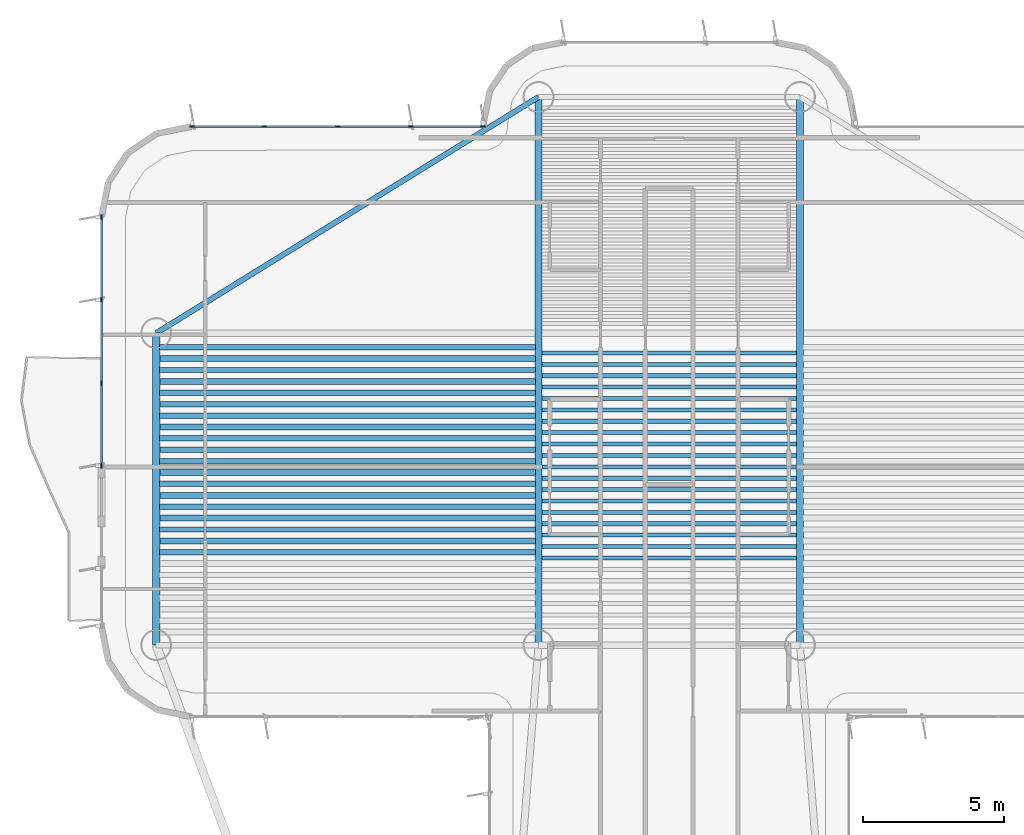
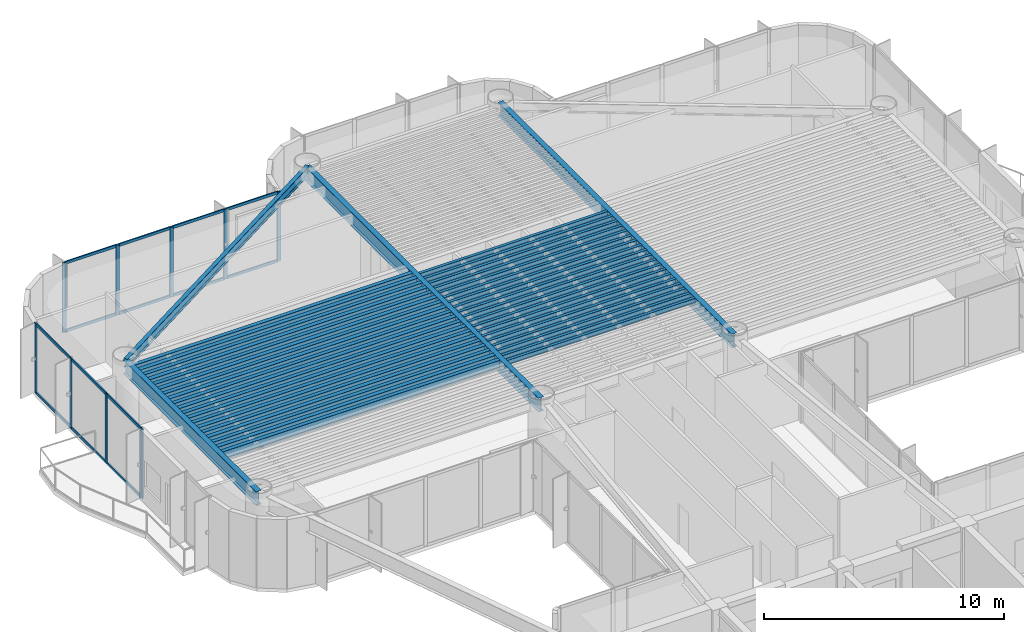
# One storey, part 5 of 15: 42 beams, 23 members, 2 elements without a shape of their own.
"""IFC4 building model written with IfcOpenShell, lengths in metres."""

from ifc_helpers import new_model, si_unit, direction, frame, origin, origin_2d, place, context, subcontext, project, spatial, rectangle, i_section, extrude, source, transform, mapped, material, layer, layer_set, material_profile, profile_set, type_object, element, aggregate, save


model = new_model("IFC4")

# Units and contexts
model_context = context("Model", 3, precision=1e-05, world=origin(), true_north=direction((0.0, 1.0)))
body_context = subcontext(model_context, "Body", "Model", "MODEL_VIEW")
ifc_project = project(units=[si_unit("LENGTHUNIT", "METRE"), si_unit("AREAUNIT", "SQUARE_METRE"), si_unit("VOLUMEUNIT", "CUBIC_METRE"), si_unit("PLANEANGLEUNIT", "RADIAN"), si_unit("MASSUNIT", "GRAM", prefix="KILO")], contexts=[model_context])

# Site, building, storey
site_placement = place(None, origin())
site = spatial("IfcSite", under=ifc_project, at=site_placement, CompositionType="ELEMENT")
building_placement = place(site_placement, origin())
building = spatial("IfcBuilding", under=site, at=building_placement, Name="Brelvock Crest Care Tower", CompositionType="ELEMENT")
storey_placement = place(building_placement, frame((0.0, 0.0, 163.97998046875)))
storey = spatial("IfcBuildingStorey", under=building, at=storey_placement, Name="L41", CompositionType="ELEMENT", Elevation=163.97998046875)

# Beams
ifc_material_1 = material(Name="Steel Grade 350", Category="steel")
ifc_material_profile_1 = material_profile(ifc_material_1, i_section(OverallWidth=0.14599609375, OverallDepth=0.256103515625, WebThickness=0.00634765625, FlangeThickness=0.010986328125, FilletRadius=0.0087890625, at=origin_2d()), Name="250UB37.3")
ifc_profile_set_1 = profile_set([ifc_material_profile_1], Name="Steel Grade 350")
beam_type_1 = type_object("IfcBeamType", Name="BM-J3", PredefinedType="JOIST", material=ifc_profile_set_1)
shared_shape_1 = source(origin(), body_context, "Body", "SweptSolid", [
    extrude(i_section(OverallWidth=0.14599609375, OverallDepth=0.256103515625, WebThickness=0.00634765625, FlangeThickness=0.010986328125, FilletRadius=0.0087890625, at=origin_2d()), origin(), (0.0, 0.0, 1.0), 9.06982421875),
])
for number, where, z_axis, x_axis, name in (
    (1, (31.465087890625, 38.0498046875, 3.402099609375), (1.0, 0.0, 0.0), (0.0, 1.0, 0.0), "BM-JH-L41-7"),
    (2, (31.465087890625, 38.454833984375, 3.402099609375), (1.0, 0.0, 0.0), (0.0, 1.0, 0.0), "BM-JH-L41-8"),
    (3, (31.465087890625, 38.860107421875, 3.402099609375), (1.0, 0.0, 0.0), (0.0, 1.0, 0.0), "BM-JH-L41-9"),
    (4, (31.465087890625, 39.26513671875, 3.402099609375), (1.0, 0.0, 0.0), (0.0, 1.0, 0.0), "BM-JH-L41-10"),
    (5, (31.465087890625, 39.67041015625, 3.402099609375), (1.0, 0.0, 0.0), (0.0, 1.0, 0.0), "BM-JH-L41-11"),
    (6, (31.465087890625, 40.075439453125, 3.402099609375), (1.0, 0.0, 0.0), (0.0, 1.0, 0.0), "BM-JH-L41-12"),
    (7, (31.465087890625, 40.480712890625, 3.402099609375), (1.0, 0.0, 0.0), (0.0, 1.0, 0.0), "BM-JH-L41-13"),
    (8, (31.465087890625, 40.8857421875, 3.402099609375), (1.0, 0.0, 0.0), (0.0, 1.0, 0.0), "BM-JH-L41-14"),
    (9, (31.465087890625, 41.291015625, 3.402099609375), (1.0, 0.0, 0.0), (0.0, 1.0, 0.0), "BM-JH-L41-15"),
    (10, (31.465087890625, 41.696044921875, 3.402099609375), (1.0, 0.0, 0.0), (0.0, 1.0, 0.0), "BM-JH-L41-16"),
    (11, (31.465087890625, 42.101318359375, 3.402099609375), (1.0, 0.0, 0.0), (0.0, 1.0, 0.0), "BM-JH-L41-17"),
    (12, (31.465087890625, 42.50634765625, 3.402099609375), (1.0, 0.0, 0.0), (0.0, 1.0, 0.0), "BM-JH-L41-18"),
    (13, (31.465087890625, 42.91162109375, 3.402099609375), (1.0, 0.0, 0.0), (0.0, 1.0, 0.0), "BM-JH-L41-19"),
    (14, (31.465087890625, 43.316650390625, 3.402099609375), (1.0, 0.0, 0.0), (0.0, 1.0, 0.0), "BM-JH-L41-20"),
    (15, (31.465087890625, 43.7216796875, 3.402099609375), (1.0, 0.0, 0.0), (0.0, 1.0, 0.0), "BM-JH-L41-21"),
    (16, (31.465087890625, 44.126953125, 3.402099609375), (1.0, 0.0, 0.0), (0.0, 1.0, 0.0), "BM-JH-L41-22"),
    (17, (31.465087890625, 44.531982421875, 3.402099609375), (1.0, 0.0, 0.0), (0.0, 1.0, 0.0), "BM-JH-L41-23"),
    (18, (31.465087890625, 44.937255859375, 3.402099609375), (1.0, 0.0, 0.0), (0.0, 1.0, 0.0), "BM-JH-L41-24"),
    (19, (31.465087890625, 45.34228515625, 3.402099609375), (1.0, 0.0, 0.0), (0.0, 1.0, 0.0), "BM-JH-L41-25"),
):
    element("IfcBeam", number, at=place(storey_placement, frame(where, z_axis=z_axis, x_axis=x_axis)), inside=storey, type_object=beam_type_1, Name=name, PredefinedType="JOIST", context=body_context, shape_type="MappedRepresentation", body=[
        mapped(shared_shape_1, transform((0.0, 0.0, 0.0), x_axis=(1.0, 0.0, 0.0), y_axis=(0.0, 1.0, 0.0), z_axis=(0.0, 0.0, 1.0), scale=1.0)),
    ])
ifc_material_profile_2 = material_profile(ifc_material_1, i_section(OverallWidth=0.208984375, OverallDepth=0.532958984375, WebThickness=0.01025390625, FlangeThickness=0.015625, FilletRadius=0.013916015625, at=origin_2d()), Name="530UB92.4")
ifc_profile_set_2 = profile_set([ifc_material_profile_2], Name="Steel Grade 350")
beam_type_2 = type_object("IfcBeamType", Name="BM-G2", PredefinedType="BEAM", material=ifc_profile_set_2)
shared_shape_2 = source(origin(), body_context, "Body", "SweptSolid", [
    extrude(i_section(OverallWidth=0.208984375, OverallDepth=0.532958984375, WebThickness=0.01025390625, FlangeThickness=0.015625, FilletRadius=0.013916015625, at=origin_2d()), origin(), (0.0, 0.0, 1.0), 13.3701171875),
])
for number, where, z_axis, x_axis, name in (
    (20, (17.864990234375, 38.657470703125, 3.263427734375), (1.0, 0.0, 0.0), (0.0, 1.0, 0.0), "BM-JW-L41-9"),
    (21, (17.864990234375, 39.4677734375, 3.263427734375), (1.0, 0.0, 0.0), (0.0, 1.0, 0.0), "BM-JW-L41-11"),
    (22, (17.864990234375, 40.278076171875, 3.263427734375), (1.0, 0.0, 0.0), (0.0, 1.0, 0.0), "BM-JW-L41-13"),
    (23, (17.864990234375, 41.08837890625, 3.263427734375), (1.0, 0.0, 0.0), (0.0, 1.0, 0.0), "BM-JW-L41-15"),
    (24, (17.864990234375, 41.898681640625, 3.263427734375), (1.0, 0.0, 0.0), (0.0, 1.0, 0.0), "BM-JW-L41-17"),
    (25, (17.864990234375, 42.708984375, 3.263427734375), (1.0, 0.0, 0.0), (0.0, 1.0, 0.0), "BM-JW-L41-19"),
    (26, (17.864990234375, 43.519287109375, 3.263427734375), (1.0, 0.0, 0.0), (0.0, 1.0, 0.0), "BM-JW-L41-21"),
    (27, (17.864990234375, 44.32958984375, 3.263427734375), (1.0, 0.0, 0.0), (0.0, 1.0, 0.0), "BM-JW-L41-23"),
    (28, (17.864990234375, 45.139892578125, 3.263427734375), (1.0, 0.0, 0.0), (0.0, 1.0, 0.0), "BM-JW-L41-25"),
):
    element("IfcBeam", number, at=place(storey_placement, frame(where, z_axis=z_axis, x_axis=x_axis)), inside=storey, type_object=beam_type_2, Name=name, PredefinedType="BEAM", context=body_context, shape_type="MappedRepresentation", body=[
        mapped(shared_shape_2, transform((0.0, 0.0, 0.0), x_axis=(1.0, 0.0, 0.0), y_axis=(0.0, 1.0, 0.0), z_axis=(0.0, 0.0, 1.0), scale=1.0)),
    ])
ifc_material_profile_3 = material_profile(ifc_material_1, i_section(OverallWidth=0.19091796875, OverallDepth=0.4599609375, WebThickness=0.010009765625, FlangeThickness=0.01611328125, FilletRadius=0.011474609375, at=origin_2d()), Name="460UB82.1")
ifc_profile_set_3 = profile_set([ifc_material_profile_3], Name="Steel Grade 350")
beam_type_3 = type_object("IfcBeamType", Name="BM-G3", PredefinedType="BEAM", material=ifc_profile_set_3)
shared_shape_3 = source(origin(), body_context, "Body", "SweptSolid", [
    extrude(i_section(OverallWidth=0.19091796875, OverallDepth=0.4599609375, WebThickness=0.010009765625, FlangeThickness=0.01611328125, FilletRadius=0.011474609375, at=origin_2d()), origin(), (0.0, 0.0, 1.0), 13.3701171875),
])
for number, where, z_axis, x_axis, name in (
    (29, (17.864990234375, 38.252197265625, 3.300048828125), (1.0, 0.0, 0.0), (0.0, 1.0, 0.0), "BM-JW-L41-8"),
    (30, (17.864990234375, 39.0625, 3.300048828125), (1.0, 0.0, 0.0), (0.0, 1.0, 0.0), "BM-JW-L41-10"),
    (31, (17.864990234375, 39.872802734375, 3.300048828125), (1.0, 0.0, 0.0), (0.0, 1.0, 0.0), "BM-JW-L41-12"),
    (32, (17.864990234375, 40.68310546875, 3.300048828125), (1.0, 0.0, 0.0), (0.0, 1.0, 0.0), "BM-JW-L41-14"),
    (33, (17.864990234375, 41.493408203125, 3.300048828125), (1.0, 0.0, 0.0), (0.0, 1.0, 0.0), "BM-JW-L41-16"),
    (34, (17.864990234375, 42.3037109375, 3.300048828125), (1.0, 0.0, 0.0), (0.0, 1.0, 0.0), "BM-JW-L41-18"),
    (35, (17.864990234375, 43.114013671875, 3.300048828125), (1.0, 0.0, 0.0), (0.0, 1.0, 0.0), "BM-JW-L41-20"),
    (36, (17.864990234375, 43.92431640625, 3.300048828125), (1.0, 0.0, 0.0), (0.0, 1.0, 0.0), "BM-JW-L41-22"),
    (37, (17.864990234375, 44.734619140625, 3.300048828125), (1.0, 0.0, 0.0), (0.0, 1.0, 0.0), "BM-JW-L41-24"),
    (38, (17.864990234375, 45.544921875, 3.300048828125), (1.0, 0.0, 0.0), (0.0, 1.0, 0.0), "BM-JW-L41-26"),
):
    element("IfcBeam", number, at=place(storey_placement, frame(where, z_axis=z_axis, x_axis=x_axis)), inside=storey, type_object=beam_type_3, Name=name, PredefinedType="BEAM", context=body_context, shape_type="MappedRepresentation", body=[
        mapped(shared_shape_3, transform((0.0, 0.0, 0.0), x_axis=(1.0, 0.0, 0.0), y_axis=(0.0, 1.0, 0.0), z_axis=(0.0, 0.0, 1.0), scale=1.0)),
    ])
ifc_material_profile_4 = material_profile(ifc_material_1, i_section(OverallWidth=0.25, OverallDepth=0.699951171875, WebThickness=0.011962890625, FlangeThickness=0.02001953125, at=origin_2d()), Name="700WB150")
ifc_profile_set_4 = profile_set([ifc_material_profile_4], Name="Steel Grade 350")
beam_type_4 = type_object("IfcBeamType", Name="BM-G4", PredefinedType="BEAM", material=ifc_profile_set_4)
shared_shape_4 = source(origin(), body_context, "Body", "SweptSolid", [
    extrude(i_section(OverallWidth=0.25, OverallDepth=0.699951171875, WebThickness=0.011962890625, FlangeThickness=0.02001953125, at=origin_2d()), origin(), (0.0, 0.0, 1.0), 11.10009765625),
])
beam_1_placement = place(storey_placement, frame((17.75, 34.949951171875, 3.179931640625), z_axis=(0.0, 1.0, 0.0), x_axis=(-1.0, 0.0, 0.0)))
element("IfcBeam", 39, at=beam_1_placement, inside=storey, type_object=beam_type_4, Name="BM-TWR-L41-01", PredefinedType="BEAM", context=body_context, shape_type="MappedRepresentation", body=[
    mapped(shared_shape_4, transform((0.0, 0.0, 0.0), x_axis=(1.0, 0.0, 0.0), y_axis=(0.0, 1.0, 0.0), z_axis=(0.0, 0.0, 1.0), scale=1.0)),
])
ifc_material_profile_5 = material_profile(ifc_material_1, i_section(OverallWidth=0.19091796875, OverallDepth=0.4599609375, WebThickness=0.010009765625, FlangeThickness=0.01611328125, FilletRadius=0.011474609375, at=origin_2d()), Name="460UB82.1")
ifc_profile_set_5 = profile_set([ifc_material_profile_5], Name="Steel Grade 350")
beam_type_5 = type_object("IfcBeamType", Name="BM-SP2", PredefinedType="SPANDREL", material=ifc_profile_set_5)
shared_shape_5 = source(origin(), body_context, "Body", "SweptSolid", [
    extrude(i_section(OverallWidth=0.19091796875, OverallDepth=0.4599609375, WebThickness=0.010009765625, FlangeThickness=0.01611328125, FilletRadius=0.011474609375, at=origin_2d()), origin(), (0.0, 0.0, 1.0), 15.985107421875),
])
beam_2_placement = place(storey_placement, frame((17.75, 46.050048828125, 3.300048828125), z_axis=(0.850802415717, 0.525485727124, 0.0), x_axis=(-0.525485727124, 0.850802415717, 0.0)))
element("IfcBeam", 40, at=beam_2_placement, inside=storey, type_object=beam_type_5, Name="BM-TWR-L41-06", PredefinedType="SPANDREL", context=body_context, shape_type="MappedRepresentation", body=[
    mapped(shared_shape_5, transform((0.0, 0.0, 0.0), x_axis=(1.0, 0.0, 0.0), y_axis=(0.0, 1.0, 0.0), z_axis=(0.0, 0.0, 1.0), scale=1.0)),
])
shared_shape_6 = source(origin(), body_context, "Body", "SweptSolid", [
    extrude(i_section(OverallWidth=0.25, OverallDepth=0.699951171875, WebThickness=0.011962890625, FlangeThickness=0.02001953125, at=origin_2d()), origin(), (0.0, 0.0, 1.0), 19.5),
])
for number, where, z_axis, x_axis, name in (
    (41, (31.35009765625, 34.949951171875, 3.179931640625), (0.0, 1.0, 0.0), (-1.0, 0.0, 0.0), "BM-TWR-L41-09"),
    (42, (40.64990234375, 34.949951171875, 3.179931640625), (0.0, 1.0, 0.0), (-1.0, 0.0, 0.0), "BM-TWR-L41-10"),
):
    element("IfcBeam", number, at=place(storey_placement, frame(where, z_axis=z_axis, x_axis=x_axis)), inside=storey, type_object=beam_type_4, Name=name, PredefinedType="BEAM", context=body_context, shape_type="MappedRepresentation", body=[
        mapped(shared_shape_6, transform((0.0, 0.0, 0.0), x_axis=(1.0, 0.0, 0.0), y_axis=(0.0, 1.0, 0.0), z_axis=(0.0, 0.0, 1.0), scale=1.0)),
    ])

# Curtain wall, members
ifc_material_2 = material(Name="Dark Glass Double Glazed Low-E", Category="glass")
ifc_layer = layer(ifc_material_2, 0.22509765625, Name="CWS-4")
ifc_layer_set = layer_set([ifc_layer], Name="Dark Glass Double Glazed Low-E")
curtain_wall_type = type_object("IfcCurtainWallType", Name="CWS-4", PredefinedType="NOTDEFINED", material=ifc_layer_set)
curtain_wall_1_placement = place(storey_placement, origin())
curtain_wall_1 = element("IfcCurtainWall", 43, at=curtain_wall_1_placement, inside=storey, type_object=curtain_wall_type, Name="L41 Curtain Wall E17B", PredefinedType="NOTDEFINED")
ifc_material_3 = material(Name="Aluminium 6063-T6", Category="aluminium")
ifc_material_profile_6 = material_profile(ifc_material_3, rectangle(XDim=0.06005859375, YDim=0.179931640625, at=origin_2d()), Name="ALU60x180")
ifc_profile_set_6 = profile_set([ifc_material_profile_6], Name="Aluminium 6063-T6")
member_type_1 = type_object("IfcMemberType", Name="CWM-2", PredefinedType="MULLION", material=ifc_profile_set_6)
shared_shape_7 = source(origin(), body_context, "Body", "SweptSolid", [
    extrude(rectangle(XDim=0.06005859375, YDim=0.179931640625, at=origin_2d()), origin(), (0.0, 0.0, 1.0), 3.530029296875),
])
member_1_placement = place(storey_placement, frame((15.800048828125, 41.330078125, 0.0), z_axis=(0.0, 0.0, 1.0), x_axis=(-1.0, 0.0, 0.0)))
member_1 = element("IfcMember", 44, at=member_1_placement, type_object=member_type_1, Name="CW-4 mullion 1", PredefinedType="MULLION", context=body_context, shape_type="MappedRepresentation", body=[
    mapped(shared_shape_7, transform((0.0, 0.0, 0.0), x_axis=(1.0, 0.0, 0.0), y_axis=(0.0, 1.0, 0.0), z_axis=(0.0, 0.0, 1.0), scale=1.0)),
])
member_2_placement = place(storey_placement, frame((15.800048828125, 44.2666015625, 0.0), z_axis=(0.0, 0.0, 1.0), x_axis=(-1.0, 0.0, 0.0)))
member_2 = element("IfcMember", 45, at=member_2_placement, type_object=member_type_1, Name="CW-4 mullion 2", PredefinedType="MULLION", context=body_context, shape_type="MappedRepresentation", body=[
    mapped(shared_shape_7, transform((0.0, 0.0, 0.0), x_axis=(1.0, 0.0, 0.0), y_axis=(0.0, 1.0, 0.0), z_axis=(0.0, 0.0, 1.0), scale=1.0)),
])
member_3_placement = place(storey_placement, frame((15.800048828125, 47.2333984375, 0.0), z_axis=(0.0, 0.0, 1.0), x_axis=(-1.0, 0.0, 0.0)))
member_3 = element("IfcMember", 46, at=member_3_placement, type_object=member_type_1, Name="CW-4 mullion 3", PredefinedType="MULLION", context=body_context, shape_type="MappedRepresentation", body=[
    mapped(shared_shape_7, transform((0.0, 0.0, 0.0), x_axis=(1.0, 0.0, 0.0), y_axis=(0.0, 1.0, 0.0), z_axis=(0.0, 0.0, 1.0), scale=1.0)),
])
member_4_placement = place(storey_placement, frame((15.800048828125, 50.169921875, 0.0), z_axis=(0.0, 0.0, 1.0), x_axis=(-1.0, 0.0, 0.0)))
member_4 = element("IfcMember", 47, at=member_4_placement, type_object=member_type_1, Name="CW-4 mullion 4", PredefinedType="MULLION", context=body_context, shape_type="MappedRepresentation", body=[
    mapped(shared_shape_7, transform((0.0, 0.0, 0.0), x_axis=(1.0, 0.0, 0.0), y_axis=(0.0, 1.0, 0.0), z_axis=(0.0, 0.0, 1.0), scale=1.0)),
])

curtain_wall_2_placement = place(storey_placement, origin())
curtain_wall_2 = element("IfcCurtainWall", 48, at=curtain_wall_2_placement, inside=storey, type_object=curtain_wall_type, Name="L41 Curtain Wall E22", PredefinedType="NOTDEFINED")
member_5_placement = place(storey_placement, frame((19.030029296875, 53.39990234375, 0.0), z_axis=(0.0, 0.0, 1.0), x_axis=(0.0, 1.0, 0.0)))
member_5 = element("IfcMember", 49, at=member_5_placement, type_object=member_type_1, Name="CW-4 mullion 1", PredefinedType="MULLION", context=body_context, shape_type="MappedRepresentation", body=[
    mapped(shared_shape_7, transform((0.0, 0.0, 0.0), x_axis=(1.0, 0.0, 0.0), y_axis=(0.0, 1.0, 0.0), z_axis=(0.0, 0.0, 1.0), scale=1.0)),
])
member_6_placement = place(storey_placement, frame((21.60009765625, 53.39990234375, 0.0), z_axis=(0.0, 0.0, 1.0), x_axis=(0.0, 1.0, 0.0)))
member_6 = element("IfcMember", 50, at=member_6_placement, type_object=member_type_1, Name="CW-4 mullion 2", PredefinedType="MULLION", context=body_context, shape_type="MappedRepresentation", body=[
    mapped(shared_shape_7, transform((0.0, 0.0, 0.0), x_axis=(1.0, 0.0, 0.0), y_axis=(0.0, 1.0, 0.0), z_axis=(0.0, 0.0, 1.0), scale=1.0)),
])
member_7_placement = place(storey_placement, frame((24.199951171875, 53.39990234375, 0.0), z_axis=(0.0, 0.0, 1.0), x_axis=(0.0, 1.0, 0.0)))
member_7 = element("IfcMember", 51, at=member_7_placement, type_object=member_type_1, Name="CW-4 mullion 3", PredefinedType="MULLION", context=body_context, shape_type="MappedRepresentation", body=[
    mapped(shared_shape_7, transform((0.0, 0.0, 0.0), x_axis=(1.0, 0.0, 0.0), y_axis=(0.0, 1.0, 0.0), z_axis=(0.0, 0.0, 1.0), scale=1.0)),
])
member_8_placement = place(storey_placement, frame((26.800048828125, 53.39990234375, 0.0), z_axis=(0.0, 0.0, 1.0), x_axis=(0.0, 1.0, 0.0)))
member_8 = element("IfcMember", 52, at=member_8_placement, type_object=member_type_1, Name="CW-4 mullion 4", PredefinedType="MULLION", context=body_context, shape_type="MappedRepresentation", body=[
    mapped(shared_shape_7, transform((0.0, 0.0, 0.0), x_axis=(1.0, 0.0, 0.0), y_axis=(0.0, 1.0, 0.0), z_axis=(0.0, 0.0, 1.0), scale=1.0)),
])
member_9_placement = place(storey_placement, frame((29.3701171875, 53.39990234375, 0.0), z_axis=(0.0, 0.0, 1.0), x_axis=(0.0, 1.0, 0.0)))
member_9 = element("IfcMember", 53, at=member_9_placement, type_object=member_type_1, Name="CW-4 mullion 5", PredefinedType="MULLION", context=body_context, shape_type="MappedRepresentation", body=[
    mapped(shared_shape_7, transform((0.0, 0.0, 0.0), x_axis=(1.0, 0.0, 0.0), y_axis=(0.0, 1.0, 0.0), z_axis=(0.0, 0.0, 1.0), scale=1.0)),
])

# Member
ifc_material_profile_7 = material_profile(ifc_material_3, rectangle(XDim=0.06005859375, YDim=0.139892578125, at=origin_2d()), Name="ALU60x140")
ifc_profile_set_7 = profile_set([ifc_material_profile_7], Name="Aluminium 6063-T6")
member_type_2 = type_object("IfcMemberType", Name="CWT-2", PredefinedType="USERDEFINED", material=ifc_profile_set_7)
shared_shape_8 = source(origin(), body_context, "Body", "SweptSolid", [
    extrude(rectangle(XDim=0.06005859375, YDim=0.139892578125, at=origin_2d()), origin(), (0.0, 0.0, 1.0), 2.87646484375),
])
member_10_placement = place(storey_placement, frame((15.800048828125, 41.360107421875, 0.030029296875), z_axis=(0.0, 1.0, 0.0), x_axis=(-1.0, 0.0, 0.0)))
member_10 = element("IfcMember", 54, at=member_10_placement, type_object=member_type_2, Name="CW-4 transom 1.1", ObjectType="TRANSOM", PredefinedType="USERDEFINED", context=body_context, shape_type="MappedRepresentation", body=[
    mapped(shared_shape_8, transform((0.0, 0.0, 0.0), x_axis=(1.0, 0.0, 0.0), y_axis=(0.0, 1.0, 0.0), z_axis=(0.0, 0.0, 1.0), scale=1.0)),
])

member_11_placement = place(storey_placement, frame((15.800048828125, 41.360107421875, 3.5), z_axis=(0.0, 1.0, 0.0), x_axis=(-1.0, 0.0, 0.0)))
member_11 = element("IfcMember", 55, at=member_11_placement, type_object=member_type_2, Name="CW-4 transom 1.2", ObjectType="TRANSOM", PredefinedType="USERDEFINED", context=body_context, shape_type="MappedRepresentation", body=[
    mapped(shared_shape_8, transform((0.0, 0.0, 0.0), x_axis=(1.0, 0.0, 0.0), y_axis=(0.0, 1.0, 0.0), z_axis=(0.0, 0.0, 1.0), scale=1.0)),
])

member_12_placement = place(storey_placement, frame((15.800048828125, 47.263427734375, 0.030029296875), z_axis=(0.0, 1.0, 0.0), x_axis=(-1.0, 0.0, 0.0)))
member_12 = element("IfcMember", 56, at=member_12_placement, type_object=member_type_2, Name="CW-4 transom 3.1", ObjectType="TRANSOM", PredefinedType="USERDEFINED", context=body_context, shape_type="MappedRepresentation", body=[
    mapped(shared_shape_8, transform((0.0, 0.0, 0.0), x_axis=(1.0, 0.0, 0.0), y_axis=(0.0, 1.0, 0.0), z_axis=(0.0, 0.0, 1.0), scale=1.0)),
])

member_13_placement = place(storey_placement, frame((15.800048828125, 47.263427734375, 3.5), z_axis=(0.0, 1.0, 0.0), x_axis=(-1.0, 0.0, 0.0)))
member_13 = element("IfcMember", 57, at=member_13_placement, type_object=member_type_2, Name="CW-4 transom 3.2", ObjectType="TRANSOM", PredefinedType="USERDEFINED", context=body_context, shape_type="MappedRepresentation", body=[
    mapped(shared_shape_8, transform((0.0, 0.0, 0.0), x_axis=(1.0, 0.0, 0.0), y_axis=(0.0, 1.0, 0.0), z_axis=(0.0, 0.0, 1.0), scale=1.0)),
])

shared_shape_9 = source(origin(), body_context, "Body", "SweptSolid", [
    extrude(rectangle(XDim=0.06005859375, YDim=0.139892578125, at=origin_2d()), origin(), (0.0, 0.0, 1.0), 2.90673828125),
])
member_14_placement = place(storey_placement, frame((15.800048828125, 44.296630859375, 0.030029296875), z_axis=(0.0, 1.0, 0.0), x_axis=(-1.0, 0.0, 0.0)))
member_14 = element("IfcMember", 58, at=member_14_placement, type_object=member_type_2, Name="CW-4 transom 2.1", ObjectType="TRANSOM", PredefinedType="USERDEFINED", context=body_context, shape_type="MappedRepresentation", body=[
    mapped(shared_shape_9, transform((0.0, 0.0, 0.0), x_axis=(1.0, 0.0, 0.0), y_axis=(0.0, 1.0, 0.0), z_axis=(0.0, 0.0, 1.0), scale=1.0)),
])

member_15_placement = place(storey_placement, frame((15.800048828125, 44.296630859375, 3.5), z_axis=(0.0, 1.0, 0.0), x_axis=(-1.0, 0.0, 0.0)))
member_15 = element("IfcMember", 59, at=member_15_placement, type_object=member_type_2, Name="CW-4 transom 2.2", ObjectType="TRANSOM", PredefinedType="USERDEFINED", context=body_context, shape_type="MappedRepresentation", body=[
    mapped(shared_shape_9, transform((0.0, 0.0, 0.0), x_axis=(1.0, 0.0, 0.0), y_axis=(0.0, 1.0, 0.0), z_axis=(0.0, 0.0, 1.0), scale=1.0)),
])

aggregate(curtain_wall_1, [member_1, member_2, member_3, member_4, member_10, member_11, member_14, member_15, member_12, member_13])

shared_shape_10 = source(origin(), body_context, "Body", "SweptSolid", [
    extrude(rectangle(XDim=0.06005859375, YDim=0.139892578125, at=origin_2d()), origin(), (0.0, 0.0, 1.0), 2.510009765625),
])
member_16_placement = place(storey_placement, frame((19.06005859375, 53.39990234375, 0.030029296875), z_axis=(1.0, 0.0, 0.0), x_axis=(0.0, 1.0, 0.0)))
member_16 = element("IfcMember", 60, at=member_16_placement, type_object=member_type_2, Name="CW-4 transom 1.1", ObjectType="TRANSOM", PredefinedType="USERDEFINED", context=body_context, shape_type="MappedRepresentation", body=[
    mapped(shared_shape_10, transform((0.0, 0.0, 0.0), x_axis=(1.0, 0.0, 0.0), y_axis=(0.0, 1.0, 0.0), z_axis=(0.0, 0.0, 1.0), scale=1.0)),
])

member_17_placement = place(storey_placement, frame((19.06005859375, 53.39990234375, 3.5), z_axis=(1.0, 0.0, 0.0), x_axis=(0.0, 1.0, 0.0)))
member_17 = element("IfcMember", 61, at=member_17_placement, type_object=member_type_2, Name="CW-4 transom 1.2", ObjectType="TRANSOM", PredefinedType="USERDEFINED", context=body_context, shape_type="MappedRepresentation", body=[
    mapped(shared_shape_10, transform((0.0, 0.0, 0.0), x_axis=(1.0, 0.0, 0.0), y_axis=(0.0, 1.0, 0.0), z_axis=(0.0, 0.0, 1.0), scale=1.0)),
])

member_18_placement = place(storey_placement, frame((26.830078125, 53.39990234375, 0.030029296875), z_axis=(1.0, 0.0, 0.0), x_axis=(0.0, 1.0, 0.0)))
member_18 = element("IfcMember", 62, at=member_18_placement, type_object=member_type_2, Name="CW-4 transom 4.1", ObjectType="TRANSOM", PredefinedType="USERDEFINED", context=body_context, shape_type="MappedRepresentation", body=[
    mapped(shared_shape_10, transform((0.0, 0.0, 0.0), x_axis=(1.0, 0.0, 0.0), y_axis=(0.0, 1.0, 0.0), z_axis=(0.0, 0.0, 1.0), scale=1.0)),
])

member_19_placement = place(storey_placement, frame((26.830078125, 53.39990234375, 3.5), z_axis=(1.0, 0.0, 0.0), x_axis=(0.0, 1.0, 0.0)))
member_19 = element("IfcMember", 63, at=member_19_placement, type_object=member_type_2, Name="CW-4 transom 4.2", ObjectType="TRANSOM", PredefinedType="USERDEFINED", context=body_context, shape_type="MappedRepresentation", body=[
    mapped(shared_shape_10, transform((0.0, 0.0, 0.0), x_axis=(1.0, 0.0, 0.0), y_axis=(0.0, 1.0, 0.0), z_axis=(0.0, 0.0, 1.0), scale=1.0)),
])

shared_shape_11 = source(origin(), body_context, "Body", "SweptSolid", [
    extrude(rectangle(XDim=0.06005859375, YDim=0.139892578125, at=origin_2d()), origin(), (0.0, 0.0, 1.0), 2.5400390625),
])
member_20_placement = place(storey_placement, frame((21.6298828125, 53.39990234375, 0.030029296875), z_axis=(1.0, 0.0, 0.0), x_axis=(0.0, 1.0, 0.0)))
member_20 = element("IfcMember", 64, at=member_20_placement, type_object=member_type_2, Name="CW-4 transom 2.1", ObjectType="TRANSOM", PredefinedType="USERDEFINED", context=body_context, shape_type="MappedRepresentation", body=[
    mapped(shared_shape_11, transform((0.0, 0.0, 0.0), x_axis=(1.0, 0.0, 0.0), y_axis=(0.0, 1.0, 0.0), z_axis=(0.0, 0.0, 1.0), scale=1.0)),
])

member_21_placement = place(storey_placement, frame((21.6298828125, 53.39990234375, 3.5), z_axis=(1.0, 0.0, 0.0), x_axis=(0.0, 1.0, 0.0)))
member_21 = element("IfcMember", 65, at=member_21_placement, type_object=member_type_2, Name="CW-4 transom 2.2", ObjectType="TRANSOM", PredefinedType="USERDEFINED", context=body_context, shape_type="MappedRepresentation", body=[
    mapped(shared_shape_11, transform((0.0, 0.0, 0.0), x_axis=(1.0, 0.0, 0.0), y_axis=(0.0, 1.0, 0.0), z_axis=(0.0, 0.0, 1.0), scale=1.0)),
])

member_22_placement = place(storey_placement, frame((24.22998046875, 53.39990234375, 0.030029296875), z_axis=(1.0, 0.0, 0.0), x_axis=(0.0, 1.0, 0.0)))
member_22 = element("IfcMember", 66, at=member_22_placement, type_object=member_type_2, Name="CW-4 transom 3.1", ObjectType="TRANSOM", PredefinedType="USERDEFINED", context=body_context, shape_type="MappedRepresentation", body=[
    mapped(shared_shape_11, transform((0.0, 0.0, 0.0), x_axis=(1.0, 0.0, 0.0), y_axis=(0.0, 1.0, 0.0), z_axis=(0.0, 0.0, 1.0), scale=1.0)),
])

member_23_placement = place(storey_placement, frame((24.22998046875, 53.39990234375, 3.5), z_axis=(1.0, 0.0, 0.0), x_axis=(0.0, 1.0, 0.0)))
member_23 = element("IfcMember", 67, at=member_23_placement, type_object=member_type_2, Name="CW-4 transom 3.2", ObjectType="TRANSOM", PredefinedType="USERDEFINED", context=body_context, shape_type="MappedRepresentation", body=[
    mapped(shared_shape_11, transform((0.0, 0.0, 0.0), x_axis=(1.0, 0.0, 0.0), y_axis=(0.0, 1.0, 0.0), z_axis=(0.0, 0.0, 1.0), scale=1.0)),
])

aggregate(curtain_wall_2, [member_5, member_6, member_7, member_8, member_9, member_16, member_17, member_20, member_21, member_22, member_23, member_18, member_19])

save(model, "model.ifc")
